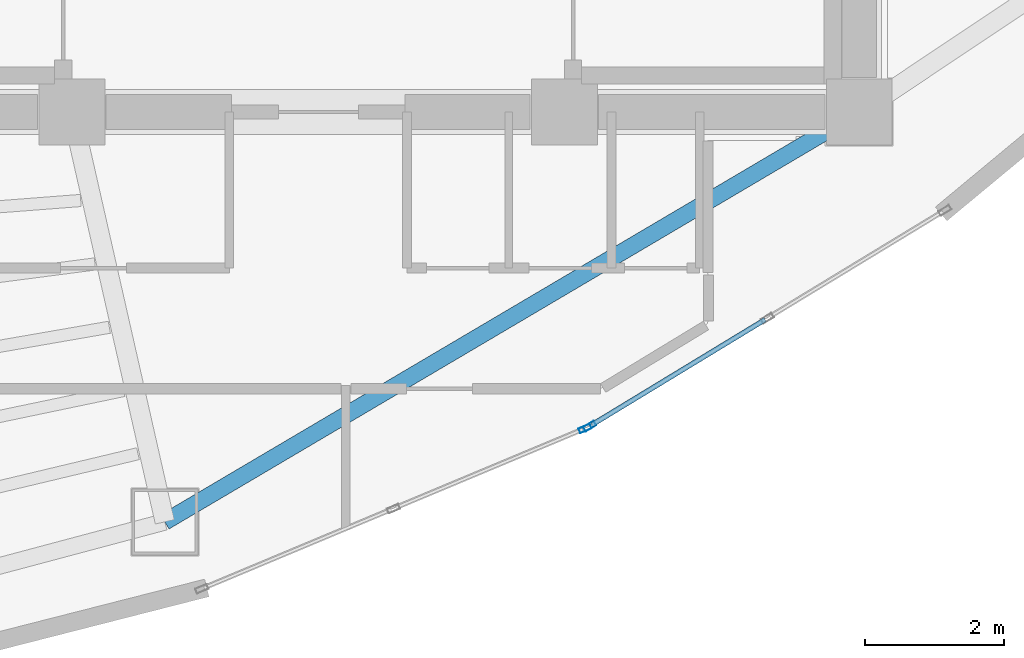
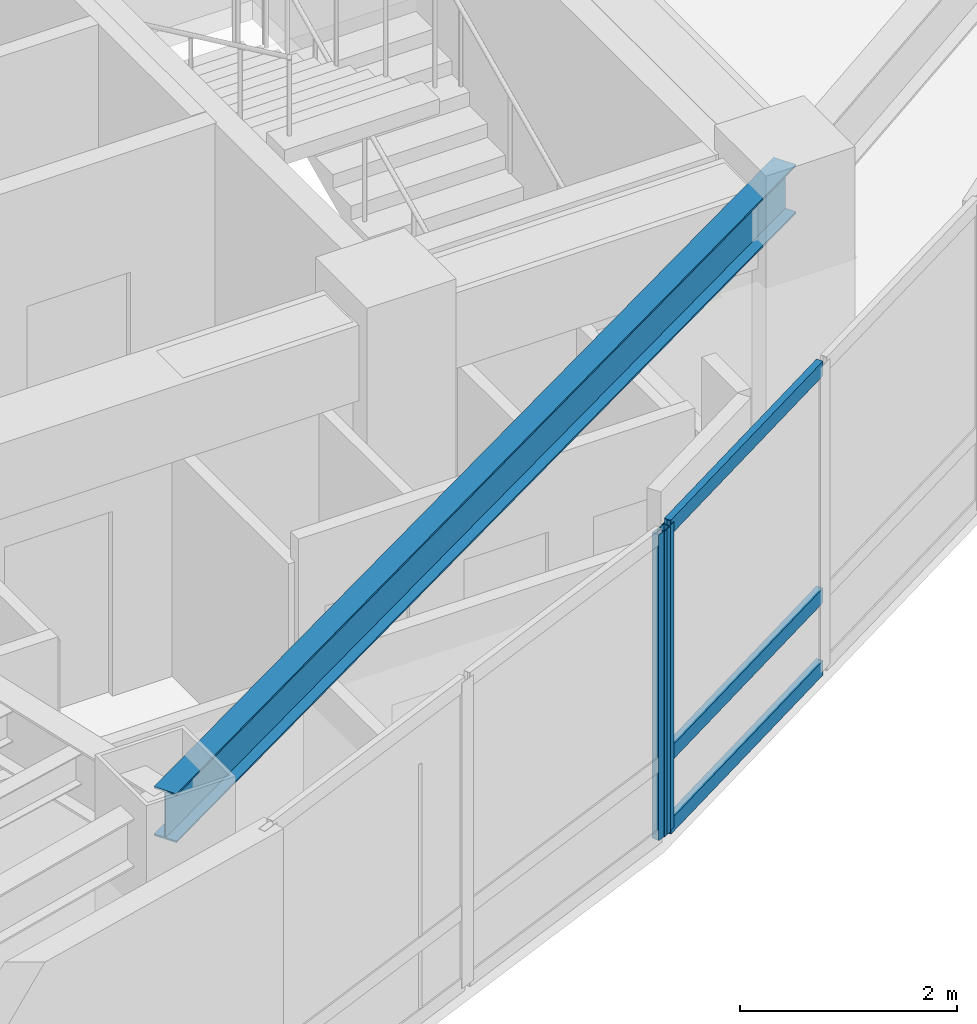
# One storey, part 4 of 16: 5 members, 1 beam, 2 elements without a shape of their own.
"""IFC4 building model written with IfcOpenShell, lengths in metres."""

import ifcopenshell
import ifcopenshell.guid

model = None  # the IFC model being written
_history = None  # IfcOwnerHistory: only IFC2X3 demands one
_inside = {}  # id of a spatial element -> (the spatial element, [elements in it])
_under = {}  # id of a project, library or spatial element -> (it, [spatial elements below it])
_declared = {}  # id of a project -> (the project, [libraries it declares])
_typed = {}  # id of a type object -> (the type object, [elements of that type])
_made_of = {}  # id of a material, layer set ... -> (it, [elements and type objects made of it])


def new_model(schema):
    """Start an empty IFC model of exactly this schema.

    Asked for "IFC4X3", IfcOpenShell would pick the latest addendum, in which some entities
    have other attributes; the version numbers below select the first issue.
    IFC2X3 requires an IfcOwnerHistory on every rooted entity: one is made here for all.
    """
    global model, _history
    if schema == "IFC4X3":
        model = ifcopenshell.file(schema_version=(4, 3, 0, 0))
    else:
        model = ifcopenshell.file(schema=schema)
    _inside.clear()
    _under.clear()
    _declared.clear()
    _typed.clear()
    _made_of.clear()
    _history = None
    if model.schema == "IFC2X3":
        org = make("IfcOrganization", Name="unknown")
        user = make(
            "IfcPersonAndOrganization",
            ThePerson=make("IfcPerson", FamilyName="unknown"),
            TheOrganization=org,
        )
        app = make(
            "IfcApplication",
            ApplicationDeveloper=org,
            Version="unknown",
            ApplicationFullName="unknown",
            ApplicationIdentifier="unknown",
        )
        _history = make(
            "IfcOwnerHistory",
            OwningUser=user,
            OwningApplication=app,
            ChangeAction="ADDED",
            CreationDate=0,
        )
    return model


def make(cls, **values):
    """One entity of the class cls with the attributes given. An attribute that is None is left unset."""
    return model.create_entity(
        cls, **{name: value for name, value in values.items() if value is not None}
    )


def rooted(cls, **values):
    """An entity with a GlobalId (a new one), such as an element, a storey or a relation."""
    return make(cls, GlobalId=ifcopenshell.guid.new(), OwnerHistory=_history, **values)


def si_unit(unit_type, name, prefix=None):
    """IfcSIUnit, for example si_unit("LENGTHUNIT", "METRE", prefix="MILLI")."""
    return make("IfcSIUnit", UnitType=unit_type, Prefix=prefix, Name=name)


def assignment(units):
    """IfcUnitAssignment: the units of a project."""
    return None if units is None else make("IfcUnitAssignment", Units=units)


def point(xyz):
    """IfcCartesianPoint."""
    return None if xyz is None else make("IfcCartesianPoint", Coordinates=xyz)


def direction(xyz):
    """IfcDirection."""
    return None if xyz is None else make("IfcDirection", DirectionRatios=xyz)


def frame(location, z_axis=None, x_axis=None):
    """IfcAxis2Placement3D, a coordinate frame: its origin and axes. An axis left out is left unset."""
    return make(
        "IfcAxis2Placement3D",
        Location=point(location),
        Axis=direction(z_axis),
        RefDirection=direction(x_axis),
    )


def frame_2d(location, x_axis=None):
    """IfcAxis2Placement2D, a coordinate frame in the plane: its origin and x axis."""
    return make(
        "IfcAxis2Placement2D", Location=point(location), RefDirection=direction(x_axis)
    )


def origin():
    """The frame at (0, 0, 0) with its axes left unset."""
    return frame((0.0, 0.0, 0.0))


def origin_2d():
    """The frame at (0, 0) in the plane with its x axis left unset."""
    return frame_2d((0.0, 0.0))


def place(relative_to, where):
    """IfcLocalPlacement: puts the frame where relative to a parent placement (None: the world)."""
    return make(
        "IfcLocalPlacement", PlacementRelTo=relative_to, RelativePlacement=where
    )


def context(
    kind, dimensions, precision=None, world=None, true_north=None, identifier=None
):
    """IfcGeometricRepresentationContext, for example the 3D "Model" context."""
    return make(
        "IfcGeometricRepresentationContext",
        ContextIdentifier=identifier,
        ContextType=kind,
        CoordinateSpaceDimension=dimensions,
        Precision=precision,
        WorldCoordinateSystem=world,
        TrueNorth=true_north,
    )


def subcontext(parent, identifier, kind, view, scale=None):
    """IfcGeometricRepresentationSubContext, for example "Body" below "Model"."""
    return make(
        "IfcGeometricRepresentationSubContext",
        ContextIdentifier=identifier,
        ContextType=kind,
        ParentContext=parent,
        TargetScale=scale,
        TargetView=view,
    )


def project(units=None, contexts=None):
    """IfcProject with its units and contexts."""
    return rooted(
        "IfcProject",
        Name="project",
        RepresentationContexts=contexts,
        UnitsInContext=assignment(units),
    )


def spatial(cls, under=None, at=None, **own):
    """A site, building, storey or space (cls), placed at a placement, below another one or the project."""
    s = rooted(cls, ObjectPlacement=at, **own)
    if under is not None:
        _under.setdefault(under.id(), (under, []))[1].append(s)
    return s


def profile(cls, at=None, kind="AREA", **sizes):
    """A parametric profile (cls). Its sizes go by their IFC names, for example OverallWidth=200.0."""
    return make(cls, ProfileType=kind, Position=at, **sizes)


def hollow_rectangle(**sizes):
    """IfcRectangleHollowProfileDef."""
    return profile("IfcRectangleHollowProfileDef", **sizes)


def i_section(**sizes):
    """IfcIShapeProfileDef."""
    return profile("IfcIShapeProfileDef", **sizes)


def extrude(swept, where, along, depth):
    """IfcExtrudedAreaSolid: the profile swept, set in the frame where, extruded along a direction by depth."""
    return make(
        "IfcExtrudedAreaSolid",
        SweptArea=swept,
        Position=where,
        ExtrudedDirection=direction(along),
        Depth=depth,
    )


def shape(context_of_items, identifier, shape_type, items):
    """IfcShapeRepresentation: the items that make up one representation, for example the "Body"."""
    return make(
        "IfcShapeRepresentation",
        ContextOfItems=context_of_items,
        RepresentationIdentifier=identifier,
        RepresentationType=shape_type,
        Items=items,
    )


def material(Name=None, Category=None):
    """IfcMaterial."""
    return make("IfcMaterial", Name=Name, Category=Category)


def layer(
    of_material, thickness, ventilated=None, Name=None, Category=None, Priority=None
):
    """IfcMaterialLayer: one layer of a wall or slab, of a material (None: an air gap)."""
    return make(
        "IfcMaterialLayer",
        Material=of_material,
        LayerThickness=thickness,
        IsVentilated=ventilated,
        Name=Name,
        Category=Category,
        Priority=Priority,
    )


def layer_set(layers, Name=None):
    """IfcMaterialLayerSet."""
    return make("IfcMaterialLayerSet", MaterialLayers=layers, LayerSetName=Name)


def material_profile(
    of_material, cross_section, Name=None, Category=None, Priority=None
):
    """IfcMaterialProfile: a cross section and its material."""
    return make(
        "IfcMaterialProfile",
        Name=Name,
        Material=of_material,
        Profile=cross_section,
        Priority=Priority,
        Category=Category,
    )


def profile_set(profiles, Name=None, composite=None):
    """IfcMaterialProfileSet."""
    return make(
        "IfcMaterialProfileSet",
        Name=Name,
        MaterialProfiles=profiles,
        CompositeProfile=composite,
    )


def made_of(thing, what):
    """Note that an element or type object is made of a material, layer set ...; save() writes the relation."""
    if what is not None:
        _made_of.setdefault(what.id(), (what, []))[1].append(thing)
    return thing


def type_object(cls, material=None, **own):
    """A type object (cls), such as IfcWallType, which elements share."""
    return made_of(rooted(cls, **own), material)


def element(
    cls,
    number,
    at=None,
    inside=None,
    cuts=None,
    type_object=None,
    material=None,
    context=None,
    identifier="Body",
    shape_type=None,
    held_by="IfcProductDefinitionShape",
    body=None,
    shapes=None,
    **own,
):
    """One element of the class cls, such as IfcWall. Its Tag is "e" and its number.

    at: its placement. inside: the storey or other place that contains it. cuts: it is an
    opening in that element (IfcRelVoidsElement). A single representation is given by context,
    identifier, shape_type and body (its items); several are given by shapes. held_by: the class
    of the entity that holds the representations. save() writes the other relations.
    """
    e = rooted(cls, Tag="e%d" % number, ObjectPlacement=at, **own)
    if body is not None:
        shapes = [shape(context, identifier, shape_type, body)]
    if shapes is not None:
        e.Representation = make(held_by, Representations=shapes)
    if inside is not None:
        _inside.setdefault(inside.id(), (inside, []))[1].append(e)
    if cuts is not None:
        rooted(
            "IfcRelVoidsElement", RelatingBuildingElement=cuts, RelatedOpeningElement=e
        )
    if type_object is not None:
        _typed.setdefault(type_object.id(), (type_object, []))[1].append(e)
    return made_of(e, material)


def aggregate(whole, parts):
    """IfcRelAggregates: a whole, such as a stair, and the parts it consists of."""
    return rooted("IfcRelAggregates", RelatingObject=whole, RelatedObjects=parts)


def save(model, path):
    """Write the relations noted so far, then the file.

    IfcRelAggregates (storeys below a building ...), IfcRelContainedInSpatialStructure (elements
    in a storey), IfcRelDefinesByType, IfcRelAssociatesMaterial and IfcRelDeclares: one each for
    every whole, place, type object, material and project.
    """
    for whole, parts in _under.values():
        aggregate(whole, parts)
    for where, things in _inside.values():
        rooted(
            "IfcRelContainedInSpatialStructure",
            RelatedElements=things,
            RelatingStructure=where,
        )
    for kind, things in _typed.values():
        rooted("IfcRelDefinesByType", RelatedObjects=things, RelatingType=kind)
    for what, things in _made_of.values():
        rooted("IfcRelAssociatesMaterial", RelatedObjects=things, RelatingMaterial=what)
    for by, libraries in _declared.values():
        rooted("IfcRelDeclares", RelatingContext=by, RelatedDefinitions=libraries)
    model.write(path)


model = new_model("IFC4")

# Units and contexts
model_context = context("Model", 3, precision=1e-05, world=origin(), true_north=direction((0.0, 1.0)))
body_context = subcontext(model_context, "Body", "Model", "MODEL_VIEW")
ifc_project = project(units=[si_unit("LENGTHUNIT", "METRE"), si_unit("AREAUNIT", "SQUARE_METRE"), si_unit("VOLUMEUNIT", "CUBIC_METRE"), si_unit("PLANEANGLEUNIT", "RADIAN"), si_unit("MASSUNIT", "GRAM", prefix="KILO")], contexts=[model_context])

# Site, building, storey
site_placement = place(None, origin())
site = spatial("IfcSite", under=ifc_project, at=site_placement, CompositionType="ELEMENT")
building_placement = place(site_placement, origin())
building = spatial("IfcBuilding", under=site, at=building_placement, Name="Menara Vayukalpa", CompositionType="ELEMENT")
storey_placement = place(building_placement, frame((0.0, 0.0, 202.679931640625)))
storey = spatial("IfcBuildingStorey", under=building, at=storey_placement, Name="L51", CompositionType="ELEMENT", Elevation=202.679931640625)

# Beam
ifc_material_1 = material(Name="Steel S355", Category="steel")
ifc_material_profile_1 = material_profile(ifc_material_1, i_section(OverallWidth=0.239990234375, OverallDepth=0.550048828125, WebThickness=0.010986328125, FlangeThickness=0.01904296875, at=origin_2d()), Name="WF 550x240x11x19")
ifc_profile_set_1 = profile_set([ifc_material_profile_1], Name="Steel S355")
beam_type = type_object("IfcBeamType", Name="BM-SP2", PredefinedType="SPANDREL", material=ifc_profile_set_1)
beam_placement = place(storey_placement, frame((23.389404296875, 11.29150390625, 3.1650390625), z_axis=(0.861184403346, 0.508292655302, 0.0), x_axis=(-0.508292655302, 0.861184403346, 0.0)))
element("IfcBeam", 1, at=beam_placement, inside=storey, type_object=beam_type, Name="L51 Perimeter Spandrel Beam SP08", PredefinedType="SPANDREL", context=body_context, shape_type="SweptSolid", body=[
    extrude(i_section(OverallWidth=0.239990234375, OverallDepth=0.550048828125, WebThickness=0.010986328125, FlangeThickness=0.01904296875, at=origin_2d()), origin(), (0.0, 0.0, 1.0), 11.6240234375),
])

# Curtain wall, member
ifc_material_2 = material(Name="Anodised Terracotta Aluminium Alloy 6063-T6", Category="masonry")
ifc_layer = layer(ifc_material_2, 0.179931640625)
ifc_layer_set = layer_set([ifc_layer], Name="Anodised Terracotta Aluminium Alloy 6063-T6")
curtain_wall_type = type_object("IfcCurtainWallType", Name="CW-CW4", PredefinedType="USERDEFINED", material=ifc_layer_set)
curtain_wall_1_placement = place(storey_placement, origin())
curtain_wall_1 = element("IfcCurtainWall", 2, at=curtain_wall_1_placement, inside=storey, type_object=curtain_wall_type, Name="L51 Sky Bar Cantilever Glazed Curtain Wall CW4 19", ObjectType="UNITISED", PredefinedType="USERDEFINED")
ifc_material_3 = material(Name="Anodised Terracotta Aluminium Alloy 6063-T6", Category="masonry")
ifc_material_profile_2 = material_profile(ifc_material_3, hollow_rectangle(XDim=0.074951171875, YDim=0.179931640625, WallThickness=0.00390625, at=origin_2d()), Name="ALU 75x180x4")
ifc_profile_set_2 = profile_set([ifc_material_profile_2], Name="Anodised Terracotta Aluminium Alloy 6063-T6")
member_type_1 = type_object("IfcMemberType", Name="CWM-CW4", PredefinedType="MULLION", material=ifc_profile_set_2)
member_1_placement = place(storey_placement, frame((29.44921875, 12.637451171875, 0.0), z_axis=(0.0, 0.0, 1.0), x_axis=(-0.385902834406, 0.922539431351, 0.0)))
member_1 = element("IfcMember", 3, at=member_1_placement, type_object=member_type_1, Name="CW4 mullion 3", PredefinedType="MULLION", context=body_context, shape_type="SweptSolid", body=[
    extrude(hollow_rectangle(XDim=0.074951171875, YDim=0.179931640625, WallThickness=0.00390625, at=origin_2d()), origin(), (0.0, 0.0, 1.0), 3.440185546875),
])
aggregate(curtain_wall_1, [member_1])

# Curtain wall, members
curtain_wall_2_placement = place(storey_placement, origin())
curtain_wall_2 = element("IfcCurtainWall", 4, at=curtain_wall_2_placement, inside=storey, type_object=curtain_wall_type, Name="L51 Sky Bar Cantilever Glazed Curtain Wall CW4 20", ObjectType="UNITISED", PredefinedType="USERDEFINED")
member_2_placement = place(storey_placement, frame((29.515869140625, 12.67138671875, 0.0), z_axis=(0.0, 0.0, 1.0), x_axis=(-0.519179911779, 0.854664974832, 0.0)))
member_2 = element("IfcMember", 5, at=member_2_placement, type_object=member_type_1, Name="CW4 mullion 1", PredefinedType="MULLION", context=body_context, shape_type="SweptSolid", body=[
    extrude(hollow_rectangle(XDim=0.074951171875, YDim=0.179931640625, WallThickness=0.00390625, at=origin_2d()), origin(), (0.0, 0.0, 1.0), 3.440185546875),
])
ifc_material_4 = material(Name="Anodised Terracotta Aluminium Alloy 6063-T6", Category="masonry")
ifc_material_profile_3 = material_profile(ifc_material_4, hollow_rectangle(XDim=0.070068359375, YDim=0.1650390625, WallThickness=0.00390625, at=origin_2d()), Name="ALU 70x165x4")
ifc_profile_set_3 = profile_set([ifc_material_profile_3], Name="Anodised Terracotta Aluminium Alloy 6063-T6")
member_type_2 = type_object("IfcMemberType", Name="CWT-CW4", PredefinedType="USERDEFINED", material=ifc_profile_set_3)
member_3_placement = place(storey_placement, frame((29.5478515625, 12.69091796875, 0.03515625), z_axis=(0.854684171336, 0.519148309511, 0.0), x_axis=(-0.519148309511, 0.854684171336, 0.0)))
member_3 = element("IfcMember", 6, at=member_3_placement, type_object=member_type_2, Name="CW4 transom 1.1", ObjectType="TRANSOM", PredefinedType="USERDEFINED", context=body_context, shape_type="SweptSolid", body=[
    extrude(hollow_rectangle(XDim=0.070068359375, YDim=0.1650390625, WallThickness=0.00390625, at=origin_2d()), origin(), (0.0, 0.0, 1.0), 2.919921875),
])
member_4_placement = place(storey_placement, frame((29.5478515625, 12.69091796875, 0.85009765625), z_axis=(0.854684171336, 0.519148309511, 0.0), x_axis=(-0.519148309511, 0.854684171336, 0.0)))
member_4 = element("IfcMember", 7, at=member_4_placement, type_object=member_type_2, Name="CW4 transom 1.2", ObjectType="TRANSOM", PredefinedType="USERDEFINED", context=body_context, shape_type="SweptSolid", body=[
    extrude(hollow_rectangle(XDim=0.070068359375, YDim=0.1650390625, WallThickness=0.00390625, at=origin_2d()), origin(), (0.0, 0.0, 1.0), 2.919921875),
])
member_5_placement = place(storey_placement, frame((29.5478515625, 12.69091796875, 3.405029296875), z_axis=(0.854684171336, 0.519148309511, 0.0), x_axis=(-0.519148309511, 0.854684171336, 0.0)))
member_5 = element("IfcMember", 8, at=member_5_placement, type_object=member_type_2, Name="CW4 transom 1.3", ObjectType="TRANSOM", PredefinedType="USERDEFINED", context=body_context, shape_type="SweptSolid", body=[
    extrude(hollow_rectangle(XDim=0.070068359375, YDim=0.1650390625, WallThickness=0.00390625, at=origin_2d()), origin(), (0.0, 0.0, 1.0), 2.919921875),
])
aggregate(curtain_wall_2, [member_2, member_3, member_4, member_5])

save(model, "model.ifc")
